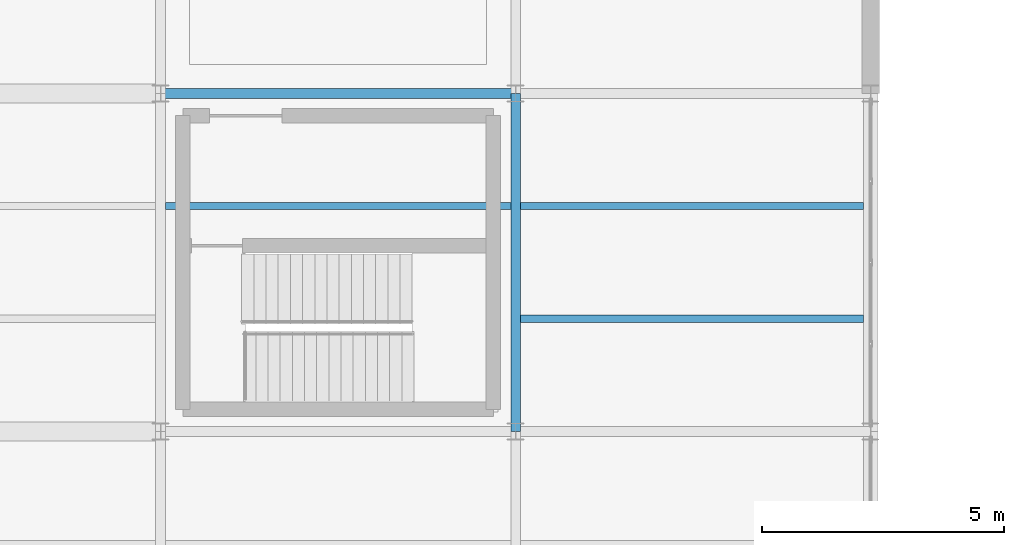
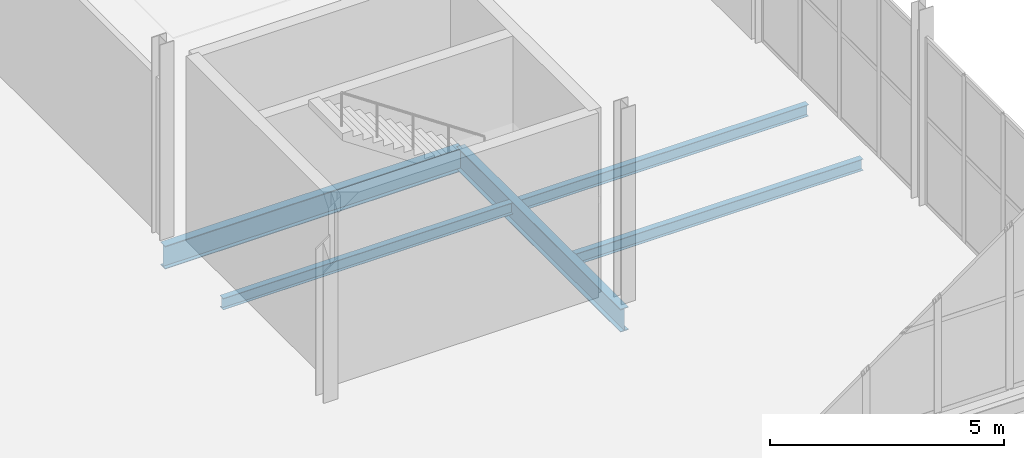
# One storey, part 41 of 218: 5 beams.
"""IFC4 building model written with IfcOpenShell, lengths in metres."""

from ifc_helpers import new_model, si_unit, direction, frame, origin, origin_2d, place, context, subcontext, project, spatial, i_section, extrude, material, material_profile, profile_set, type_object, element, save


model = new_model("IFC4")

# Units and contexts
model_context = context("Model", 3, precision=1e-05, world=origin(), true_north=direction((0.0, 1.0)))
body_context = subcontext(model_context, "Body", "Model", "MODEL_VIEW")
ifc_project = project(units=[si_unit("LENGTHUNIT", "METRE"), si_unit("AREAUNIT", "SQUARE_METRE"), si_unit("VOLUMEUNIT", "CUBIC_METRE"), si_unit("PLANEANGLEUNIT", "RADIAN"), si_unit("MASSUNIT", "GRAM", prefix="KILO")], contexts=[model_context])

# Site, building, storey
site_placement = place(None, origin())
site = spatial("IfcSite", under=ifc_project, at=site_placement, CompositionType="ELEMENT")
building_placement = place(site_placement, origin())
building = spatial("IfcBuilding", under=site, at=building_placement, Name="Kazenagashi Tramway Depot", CompositionType="ELEMENT")
storey_placement = place(building_placement, frame((0.0, 0.0, 6.0)))
storey = spatial("IfcBuildingStorey", under=building, at=storey_placement, Name="L02", CompositionType="ELEMENT", Elevation=6.0)

# Beams
ifc_material_1 = material(Name="Steel SN490B", Category="steel")
ifc_material_profile_1 = material_profile(ifc_material_1, i_section(OverallWidth=0.2, OverallDepth=0.6, WebThickness=0.011, FlangeThickness=0.017, at=origin_2d()), Name="H-600x200x11x17")
ifc_profile_set_1 = profile_set([ifc_material_profile_1], Name="Steel SN490B")
beam_type_1 = type_object("IfcBeamType", Name="G-03", PredefinedType="BEAM", material=ifc_profile_set_1)
beam_1_placement = place(storey_placement, frame((29.4, 14.0, -0.55), z_axis=(1.0, 0.0, 0.0), x_axis=(0.0, 1.0, 0.0)))
element("IfcBeam", 1, at=beam_1_placement, inside=storey, type_object=beam_type_1, Name="Beam G-03 BM-0015", PredefinedType="BEAM", context=body_context, shape_type="SweptSolid", body=[
    extrude(i_section(OverallWidth=0.2, OverallDepth=0.6, WebThickness=0.011, FlangeThickness=0.017, at=origin_2d()), origin(), (0.0, 0.0, 1.0), 7.35),
])
beam_2_placement = place(storey_placement, frame((36.75, 7.0, -0.55), z_axis=(0.0, 1.0, 0.0), x_axis=(-1.0, 0.0, 0.0)))
element("IfcBeam", 2, at=beam_2_placement, inside=storey, type_object=beam_type_1, Name="Beam G-03 BM-0185", PredefinedType="BEAM", context=body_context, shape_type="SweptSolid", body=[
    extrude(i_section(OverallWidth=0.2, OverallDepth=0.6, WebThickness=0.011, FlangeThickness=0.017, at=origin_2d()), origin(), (0.0, 0.0, 1.0), 7.0),
])
ifc_material_2 = material(Name="Steel SN400B", Category="steel")
ifc_material_profile_2 = material_profile(ifc_material_2, i_section(OverallWidth=0.15, OverallDepth=0.3, WebThickness=0.0065, FlangeThickness=0.009, at=origin_2d()), Name="H-300x150x6.5x9")
ifc_profile_set_2 = profile_set([ifc_material_profile_2], Name="Steel SN400B")
beam_type_2 = type_object("IfcBeamType", Name="J-02", PredefinedType="JOIST", material=ifc_profile_set_2)
beam_3_placement = place(storey_placement, frame((29.5, 11.667, -0.4), z_axis=(1.0, 0.0, 0.0), x_axis=(0.0, 1.0, 0.0)))
element("IfcBeam", 3, at=beam_3_placement, inside=storey, type_object=beam_type_2, Name="Beam J-02 BM-0160", PredefinedType="JOIST", context=body_context, shape_type="SweptSolid", body=[
    extrude(i_section(OverallWidth=0.15, OverallDepth=0.3, WebThickness=0.0065, FlangeThickness=0.009, at=origin_2d()), origin(), (0.0, 0.0, 1.0), 7.15),
])
for number, where, z_axis, x_axis, name in (
    (4, (36.85, 9.333, -0.4), (1.0, 0.0, 0.0), (0.0, 1.0, 0.0), "Beam J-02 BM-0186"),
    (5, (36.85, 11.667, -0.4), (1.0, 0.0, 0.0), (0.0, 1.0, 0.0), "Beam J-02 BM-0187"),
):
    element("IfcBeam", number, at=place(storey_placement, frame(where, z_axis=z_axis, x_axis=x_axis)), inside=storey, type_object=beam_type_2, Name=name, PredefinedType="JOIST", context=body_context, shape_type="SweptSolid", body=[
        extrude(i_section(OverallWidth=0.15, OverallDepth=0.3, WebThickness=0.0065, FlangeThickness=0.009, at=origin_2d()), origin(), (0.0, 0.0, 1.0), 7.1),
    ])

save(model, "model.ifc")
